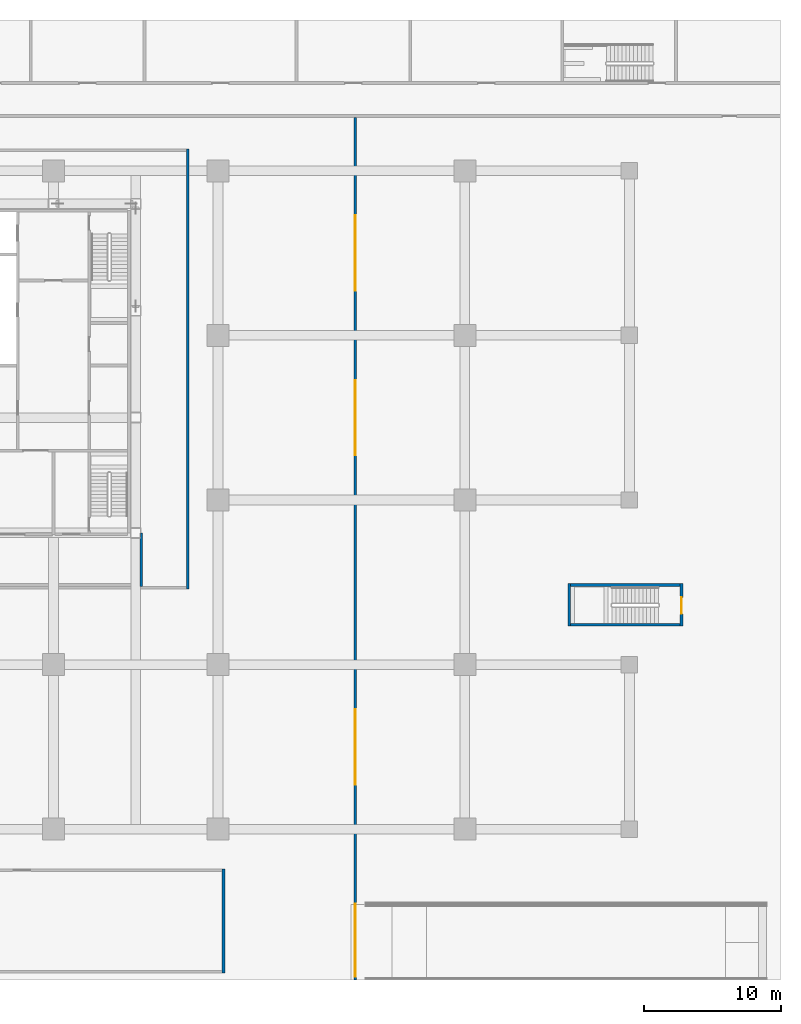
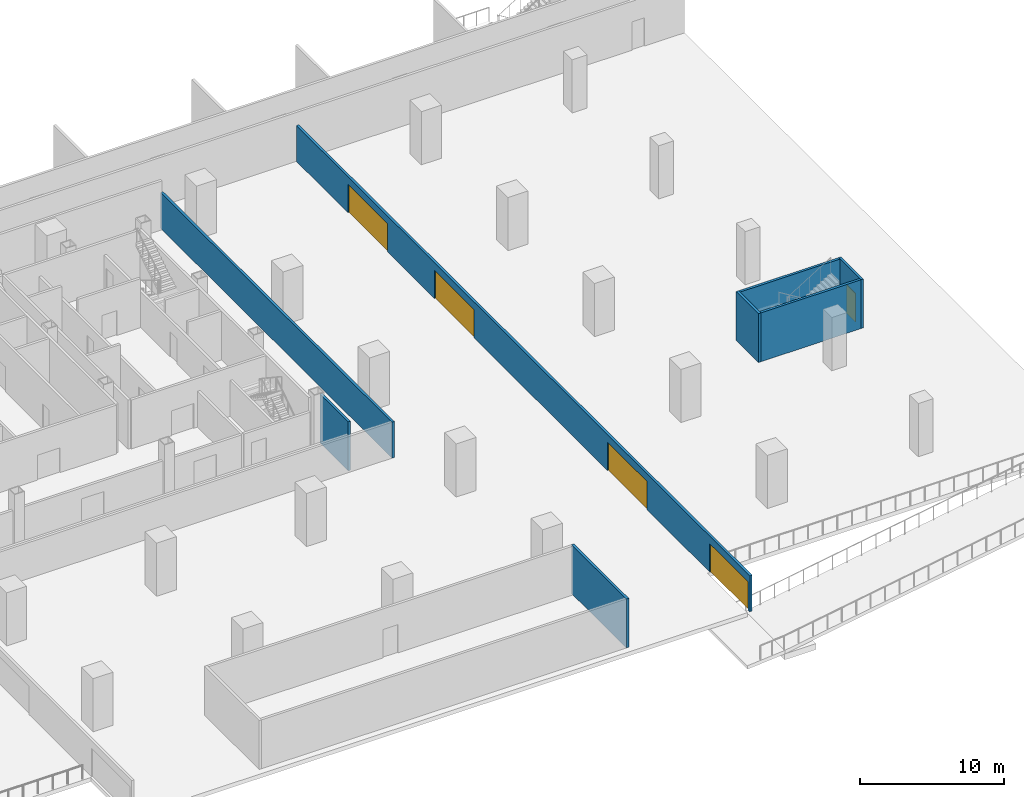
# One storey, part 7 of 15: 8 walls, 5 doors, 5 openings.
"""IFC4 building model written with IfcOpenShell, lengths in metres."""

from ifc_helpers import new_model, si_unit, direction, frame, frame_2d, origin, place, context, subcontext, project, spatial, rectangle, extrude, material, layer, layer_set, type_object, element, fill, save


model = new_model("IFC4")

# Units and contexts
model_context = context("Model", 3, precision=1e-05, world=origin(), true_north=direction((0.0, 1.0)))
body_context = subcontext(model_context, "Body", "Model", "MODEL_VIEW")
ifc_project = project(units=[si_unit("LENGTHUNIT", "METRE"), si_unit("AREAUNIT", "SQUARE_METRE"), si_unit("VOLUMEUNIT", "CUBIC_METRE"), si_unit("PLANEANGLEUNIT", "RADIAN"), si_unit("MASSUNIT", "GRAM", prefix="KILO")], contexts=[model_context])

# Site, building, storey
site_placement = place(None, origin())
site = spatial("IfcSite", under=ifc_project, at=site_placement, CompositionType="ELEMENT")
building_placement = place(site_placement, origin())
building = spatial("IfcBuilding", under=site, at=building_placement, Name="Sorahane Residences", CompositionType="ELEMENT")
storey_placement = place(building_placement, frame((0.0, 0.0, -9.0)))
storey = spatial("IfcBuildingStorey", under=building, at=storey_placement, Name="B2", CompositionType="ELEMENT", Elevation=-9.0)

# Walls
ifc_material_1 = material(Name="Concrete blockwork C20 wall", Category="masonry")
ifc_layer_1 = layer(ifc_material_1, 0.199951171875)
ifc_layer_set_1 = layer_set([ifc_layer_1], Name="Corridor wall 200 EI 120")
wall_type_1 = type_object("IfcWallType", Name="Corridor wall 200 EI 120", PredefinedType="SOLIDWALL", material=ifc_layer_set_1)
wall_1_placement = place(storey_placement, frame((42.39990234375, 17.699951171875, 0.0), z_axis=(0.0, 0.0, 1.0), x_axis=(0.0, 1.0, 0.0)))
element("IfcWall", 1, at=wall_1_placement, inside=storey, type_object=wall_type_1, Name="B2 corridor wall", PredefinedType="SOLIDWALL", context=body_context, shape_type="SweptSolid", body=[
    extrude(rectangle(XDim=3.900146484375, YDim=0.199951171875, at=frame_2d((1.9501953125, 0.0))), origin(), (0.0, 0.0, 1.0), 4.139892578125),
])
ifc_material_2 = material(Name="Concrete blockwork C20 wall", Category="masonry")
ifc_layer_2 = layer(ifc_material_2, 0.199951171875)
ifc_layer_set_2 = layer_set([ifc_layer_2], Name="Fire wall 200 EI 120")
wall_type_2 = type_object("IfcWallType", Name="Fire wall 200 EI 120", PredefinedType="SOLIDWALL", material=ifc_layer_set_2)
wall_2_placement = place(storey_placement, frame((45.800048828125, 17.5, 0.0), z_axis=(0.0, 0.0, 1.0), x_axis=(0.0, 1.0, 0.0)))
element("IfcWall", 2, at=wall_2_placement, inside=storey, type_object=wall_type_2, Name="B2 fire wall", PredefinedType="SOLIDWALL", context=body_context, shape_type="SweptSolid", body=[
    extrude(rectangle(XDim=32.10009765625, YDim=0.199951171875, at=frame_2d((16.050048828125, 0.0))), origin(), (0.0, 0.0, 1.0), 3.0400390625),
])

# Wall, openings, doors
wall_3_placement = place(storey_placement, frame((58.0, -11.0, 0.0), z_axis=(0.0, 0.0, 1.0), x_axis=(0.0, 1.0, 0.0)))
wall_3 = element("IfcWall", 3, at=wall_3_placement, inside=storey, type_object=wall_type_2, Name="B2 fire wall", PredefinedType="SOLIDWALL", context=body_context, shape_type="SweptSolid", body=[
    extrude(rectangle(XDim=62.89990234375, YDim=0.199951171875, at=frame_2d((31.449951171875, 0.0))), origin(), (0.0, 0.0, 1.0), 3.0400390625),
])
opening_1_placement = place(wall_3_placement, frame((0.25, 0.0, 0.0)))
opening_1 = element("IfcOpeningElement", 4, at=opening_1_placement, cuts=wall_3, Name="Opening B2-19", PredefinedType="OPENING", context=body_context, shape_type="SweptSolid", body=[
    extrude(rectangle(XDim=5.300048828125, YDim=2.39990234375, at=frame_2d((2.64990234375, 1.199951171875))), frame((0.0, 0.10986328125, 0.0), z_axis=(0.0, -1.0, 0.0), x_axis=(1.0, 0.0, 0.0)), (0.0, 0.0, 1.0), 0.219970703125),
])
opening_2_placement = place(wall_3_placement, frame((14.25, 0.0, 0.0)))
opening_2 = element("IfcOpeningElement", 5, at=opening_2_placement, cuts=wall_3, Name="Opening B2-20", PredefinedType="OPENING", context=body_context, shape_type="SweptSolid", body=[
    extrude(rectangle(XDim=5.5, YDim=2.39990234375, at=frame_2d((2.75, 1.199951171875))), frame((0.0, 0.10986328125, 0.0), z_axis=(0.0, -1.0, 0.0), x_axis=(1.0, 0.0, 0.0)), (0.0, 0.0, 1.0), 0.219970703125),
])
opening_3_placement = place(wall_3_placement, frame((38.25, 0.0, 0.0)))
opening_3 = element("IfcOpeningElement", 6, at=opening_3_placement, cuts=wall_3, Name="Opening B2-21", PredefinedType="OPENING", context=body_context, shape_type="SweptSolid", body=[
    extrude(rectangle(XDim=5.5, YDim=2.39990234375, at=frame_2d((2.75, 1.199951171875))), frame((0.0, 0.10986328125, 0.0), z_axis=(0.0, -1.0, 0.0), x_axis=(1.0, 0.0, 0.0)), (0.0, 0.0, 1.0), 0.219970703125),
])
opening_4_placement = place(wall_3_placement, frame((50.25, 0.0, 0.0)))
opening_4 = element("IfcOpeningElement", 7, at=opening_4_placement, cuts=wall_3, Name="Opening B2-22", PredefinedType="OPENING", context=body_context, shape_type="SweptSolid", body=[
    extrude(rectangle(XDim=5.5, YDim=2.39990234375, at=frame_2d((2.75, 1.199951171875))), frame((0.0, 0.10986328125, 0.0), z_axis=(0.0, -1.0, 0.0), x_axis=(1.0, 0.0, 0.0)), (0.0, 0.0, 1.0), 0.219970703125),
])
ifc_material_3 = material(Name="Steel", Category="steel")
door_type_1 = type_object("IfcDoorType", Name="Fire door 5300x2400 FD60", OperationType="NOTDEFINED", PredefinedType="DOOR", material=ifc_material_3)
door_1_placement = place(opening_1_placement, frame((5.300048828125, 0.0, 0.0), z_axis=(0.0, 0.0, 1.0), x_axis=(-1.0, 0.0, 0.0)))
door_1 = element("IfcDoor", 8, at=door_1_placement, inside=storey, type_object=door_type_1, Name="Fire door B2-19", OperationType="SINGLE_SWING_RIGHT", OverallHeight=2.39990234375, OverallWidth=5.300048828125, PredefinedType="DOOR", context=body_context, shape_type="SweptSolid", body=[
    extrude(rectangle(XDim=5.300048828125, YDim=2.39990234375, at=frame_2d((2.64990234375, 1.199951171875))), frame((0.0, 0.02490234375, 0.0), z_axis=(0.0, -1.0, 0.0), x_axis=(1.0, 0.0, 0.0)), (0.0, 0.0, 1.0), 0.050048828125),
])
fill(opening_1, door_1)
ifc_material_4 = material(Name="Steel", Category="steel")
door_type_2 = type_object("IfcDoorType", Name="Fire door 5500x2400 FD60", OperationType="NOTDEFINED", PredefinedType="DOOR", material=ifc_material_4)
door_2_placement = place(opening_2_placement, frame((5.5, 0.0, 0.0), z_axis=(0.0, 0.0, 1.0), x_axis=(-1.0, 0.0, 0.0)))
door_2 = element("IfcDoor", 9, at=door_2_placement, inside=storey, type_object=door_type_2, Name="Fire door B2-20", OperationType="SINGLE_SWING_LEFT", OverallHeight=2.39990234375, OverallWidth=5.5, PredefinedType="DOOR", context=body_context, shape_type="SweptSolid", body=[
    extrude(rectangle(XDim=5.5, YDim=2.39990234375, at=frame_2d((2.75, 1.199951171875))), frame((0.0, 0.02490234375, 0.0), z_axis=(0.0, -1.0, 0.0), x_axis=(1.0, 0.0, 0.0)), (0.0, 0.0, 1.0), 0.050048828125),
])
fill(opening_2, door_2)
door_3_placement = place(opening_3_placement, origin())
door_3 = element("IfcDoor", 10, at=door_3_placement, inside=storey, type_object=door_type_2, Name="Fire door B2-21", OperationType="SINGLE_SWING_LEFT", OverallHeight=2.39990234375, OverallWidth=5.5, PredefinedType="DOOR", context=body_context, shape_type="SweptSolid", body=[
    extrude(rectangle(XDim=5.5, YDim=2.39990234375, at=frame_2d((2.75, 1.199951171875))), frame((0.0, 0.02490234375, 0.0), z_axis=(0.0, -1.0, 0.0), x_axis=(1.0, 0.0, 0.0)), (0.0, 0.0, 1.0), 0.050048828125),
])
fill(opening_3, door_3)
door_4_placement = place(opening_4_placement, origin())
door_4 = element("IfcDoor", 11, at=door_4_placement, inside=storey, type_object=door_type_2, Name="Fire door B2-22", OperationType="SINGLE_SWING_RIGHT", OverallHeight=2.39990234375, OverallWidth=5.5, PredefinedType="DOOR", context=body_context, shape_type="SweptSolid", body=[
    extrude(rectangle(XDim=5.5, YDim=2.39990234375, at=frame_2d((2.75, 1.199951171875))), frame((0.0, 0.02490234375, 0.0), z_axis=(0.0, -1.0, 0.0), x_axis=(1.0, 0.0, 0.0)), (0.0, 0.0, 1.0), 0.050048828125),
])
fill(opening_4, door_4)

# Wall
wall_4_placement = place(storey_placement, frame((73.60009765625, 14.800048828125, 0.0), z_axis=(0.0, 0.0, 1.0), x_axis=(0.0, 1.0, 0.0)))
element("IfcWall", 12, at=wall_4_placement, inside=storey, type_object=wall_type_2, Name="B2 fire wall", PredefinedType="SOLIDWALL", context=body_context, shape_type="SweptSolid", body=[
    extrude(rectangle(XDim=3.099853515625, YDim=0.199951171875, at=frame_2d((1.5498046875, 0.0))), origin(), (0.0, 0.0, 1.0), 4.139892578125),
])

# Wall, opening, door
wall_5_placement = place(storey_placement, frame((81.800048828125, 14.800048828125, 0.0), z_axis=(0.0, 0.0, 1.0), x_axis=(0.0, 1.0, 0.0)))
wall_5 = element("IfcWall", 13, at=wall_5_placement, inside=storey, type_object=wall_type_2, Name="B2 fire wall", PredefinedType="SOLIDWALL", context=body_context, shape_type="SweptSolid", body=[
    extrude(rectangle(XDim=3.099853515625, YDim=0.199951171875, at=frame_2d((1.5498046875, 0.0))), origin(), (0.0, 0.0, 1.0), 4.139892578125),
])
opening_5_placement = place(wall_5_placement, frame((0.89990234375, 0.0, 0.0)))
opening_5 = element("IfcOpeningElement", 14, at=opening_5_placement, cuts=wall_5, Name="Opening B2-12", PredefinedType="OPENING", context=body_context, shape_type="SweptSolid", body=[
    extrude(rectangle(XDim=1.199951171875, YDim=2.39990234375, at=frame_2d((0.60009765625, 1.199951171875))), frame((0.0, 0.10986328125, 0.0), z_axis=(0.0, -1.0, 0.0), x_axis=(1.0, 0.0, 0.0)), (0.0, 0.0, 1.0), 0.219970703125),
])
ifc_material_5 = material(Name="Steel", Category="steel")
door_type_3 = type_object("IfcDoorType", Name="Stair door 1200x2400 FD60", OperationType="NOTDEFINED", PredefinedType="DOOR", material=ifc_material_5)
door_5_placement = place(opening_5_placement, frame((1.199951171875, 0.0, 0.0), z_axis=(0.0, 0.0, 1.0), x_axis=(-1.0, 0.0, 0.0)))
door_5 = element("IfcDoor", 15, at=door_5_placement, inside=storey, type_object=door_type_3, Name="Stair door B2-12", OperationType="SINGLE_SWING_LEFT", OverallHeight=2.39990234375, OverallWidth=1.199951171875, PredefinedType="DOOR", context=body_context, shape_type="SweptSolid", body=[
    extrude(rectangle(XDim=1.199951171875, YDim=2.39990234375, at=frame_2d((0.60009765625, 1.199951171875))), frame((0.0, 0.02490234375, 0.0), z_axis=(0.0, -1.0, 0.0), x_axis=(1.0, 0.0, 0.0)), (0.0, 0.0, 1.0), 0.050048828125),
])
fill(opening_5, door_5)

# Walls
ifc_material_6 = material(Name="Concrete blockwork C20 wall", Category="masonry")
ifc_layer_3 = layer(ifc_material_6, 0.199951171875)
ifc_layer_set_3 = layer_set([ifc_layer_3], Name="Plant wall 200 EI 120")
wall_type_3 = type_object("IfcWallType", Name="Plant wall 200 EI 120", PredefinedType="SOLIDWALL", material=ifc_layer_set_3)
wall_6_placement = place(storey_placement, frame((48.39990234375, -10.5, 0.0), z_axis=(0.0, 0.0, 1.0), x_axis=(0.0, 1.0, 0.0)))
element("IfcWall", 16, at=wall_6_placement, inside=storey, type_object=wall_type_3, Name="B2 plant wall", PredefinedType="SOLIDWALL", context=body_context, shape_type="SweptSolid", body=[
    extrude(rectangle(XDim=7.60009765625, YDim=0.199951171875, at=frame_2d((3.800048828125, 0.0))), origin(), (0.0, 0.0, 1.0), 4.139892578125),
])
ifc_material_7 = material(Name="Concrete C30", Category="concrete")
ifc_layer_4 = layer(ifc_material_7, 0.199951171875)
ifc_layer_set_4 = layer_set([ifc_layer_4], Name="Stair enclosure wall 200 EI 120")
wall_type_4 = type_object("IfcWallType", Name="Stair enclosure wall 200 EI 120", PredefinedType="SOLIDWALL", material=ifc_layer_set_4)
for number, where, z_axis, x_axis, name in (
    (17, (73.699951171875, 14.89990234375, 0.0), (0.0, 0.0, 1.0), (1.0, 0.0, 0.0), "B2 fire wall"),
    (18, (73.699951171875, 17.800048828125, 0.0), (0.0, 0.0, 1.0), (1.0, 0.0, 0.0), "B2 fire wall"),
):
    element("IfcWall", number, at=place(storey_placement, frame(where, z_axis=z_axis, x_axis=x_axis)), inside=storey, type_object=wall_type_4, Name=name, PredefinedType="SOLIDWALL", context=body_context, shape_type="SweptSolid", body=[
        extrude(rectangle(XDim=8.0, YDim=0.199951171875, at=frame_2d((4.0, 0.0))), origin(), (0.0, 0.0, 1.0), 4.139892578125),
    ])

save(model, "model.ifc")
